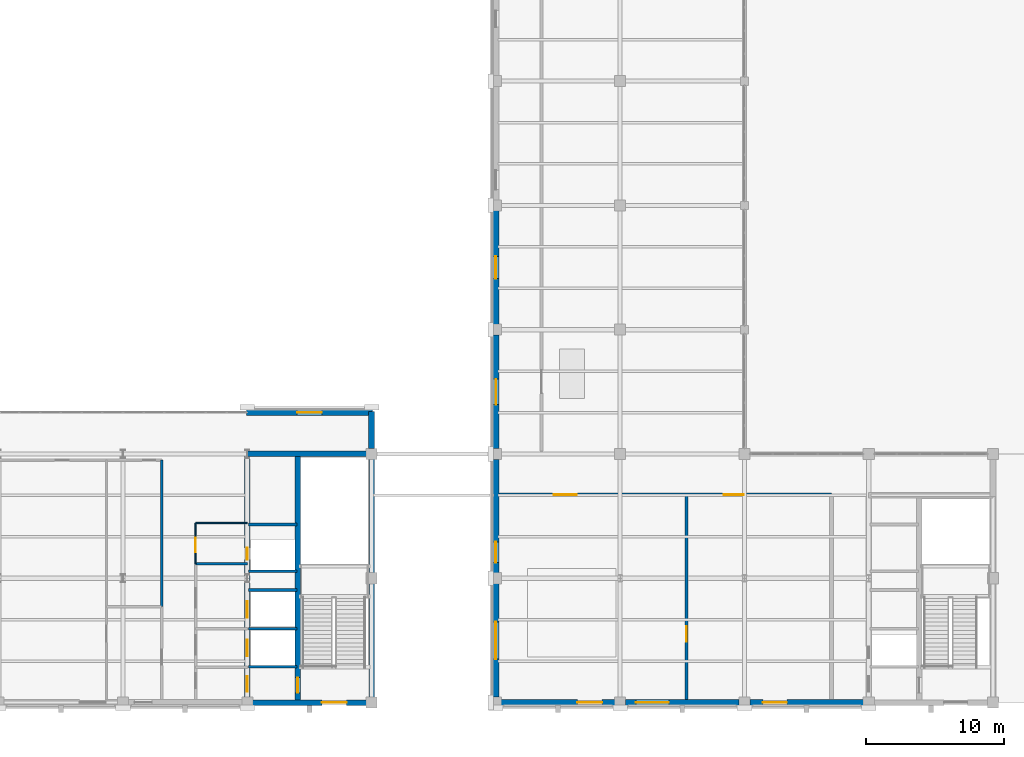
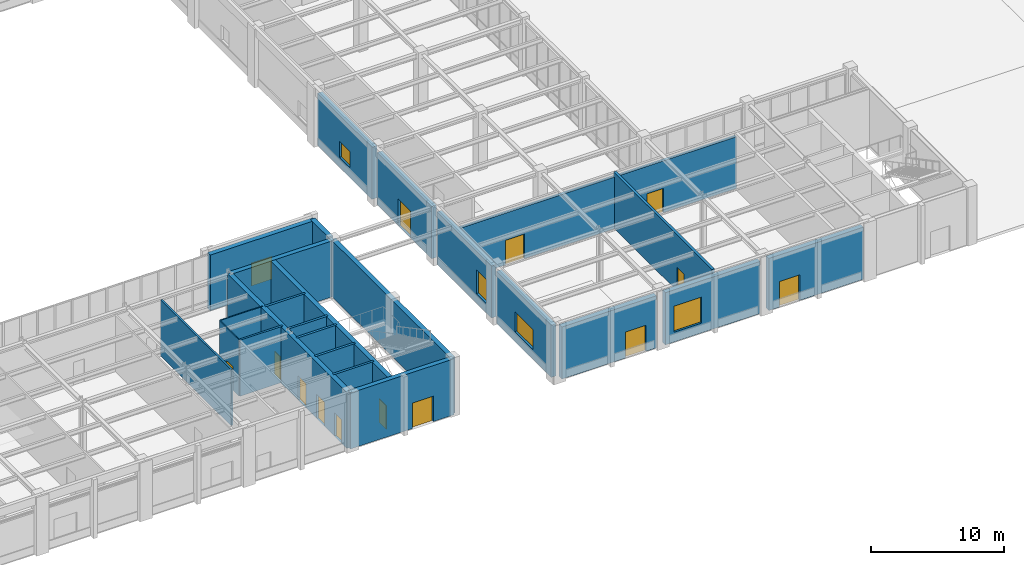
# One storey, part 64 of 77: 25 walls, 13 doors, 5 windows, 18 openings.
"""IFC4 building model written with IfcOpenShell, lengths in metres."""

from ifc_helpers import new_model, si_unit, direction, frame, frame_2d, origin, place, context, subcontext, project, spatial, rectangle, extrude, material, layer, layer_set, type_object, element, fill, save


model = new_model("IFC4")

# Units and contexts
model_context = context("Model", 3, precision=1e-05, world=origin(), true_north=direction((0.0, 1.0)))
body_context = subcontext(model_context, "Body", "Model", "MODEL_VIEW")
ifc_project = project(units=[si_unit("LENGTHUNIT", "METRE"), si_unit("AREAUNIT", "SQUARE_METRE"), si_unit("VOLUMEUNIT", "CUBIC_METRE"), si_unit("PLANEANGLEUNIT", "RADIAN"), si_unit("MASSUNIT", "GRAM", prefix="KILO")], contexts=[model_context])

# Site, building, storey
site_placement = place(None, origin())
site = spatial("IfcSite", under=ifc_project, at=site_placement, CompositionType="ELEMENT")
building_placement = place(site_placement, origin())
building = spatial("IfcBuilding", under=site, at=building_placement, Name="Lykobir Media Centre", CompositionType="ELEMENT")
storey_placement = place(building_placement, origin())
storey = spatial("IfcBuildingStorey", under=building, at=storey_placement, Name="L00", CompositionType="ELEMENT", Elevation=0.0)

# Wall, opening, door
ifc_material_1 = material(Name="Honed Travertine Stone", Category="masonry")
ifc_layer_1 = layer(ifc_material_1, 0.419921875, Name="Honed Travertine Stone")
ifc_layer_set_1 = layer_set([ifc_layer_1], Name="Honed Travertine Stone")
wall_type_1 = type_object("IfcWallType", Name="EW-TRAV-420", PredefinedType="STANDARD", material=ifc_layer_set_1)
wall_1_placement = place(storey_placement, frame((90.0, 26.614990234375, 0.0), z_axis=(0.0, 0.0, 1.0), x_axis=(0.0, -1.0, 0.0)))
wall_1 = element("IfcWall", 1, at=wall_1_placement, inside=storey, type_object=wall_type_1, Name="Exterior wall WALL-L00-0079", PredefinedType="STANDARD", context=body_context, shape_type="SweptSolid", body=[
    extrude(rectangle(XDim=8.22998046875, YDim=0.419921875, at=frame_2d((4.114990234375, 0.0))), origin(), (0.0, 0.0, 1.0), 4.794921875),
])
opening_1_placement = place(wall_1_placement, frame((3.18994140625, 0.0, 0.0)))
opening_1 = element("IfcOpeningElement", 2, at=opening_1_placement, cuts=wall_1, Name="Opening D-L00-E08", PredefinedType="OPENING", context=body_context, shape_type="SweptSolid", body=[
    extrude(rectangle(XDim=1.85009765625, YDim=2.449951171875, at=frame_2d((0.925048828125, 1.22509765625))), frame((0.0, 0.219970703125, 0.0), z_axis=(0.0, -1.0, 0.0), x_axis=(1.0, 0.0, 0.0)), (0.0, 0.0, 1.0), 0.43994140625),
])
ifc_material_2 = material(Name="Anodized Aluminium AW-6060", Category="aluminium")
door_type_1 = type_object("IfcDoorType", Name="ED-1850x2450", OperationType="NOTDEFINED", PredefinedType="DOOR", material=ifc_material_2)
door_1_placement = place(opening_1_placement, frame((1.85009765625, 0.0, 0.0), z_axis=(0.0, 0.0, 1.0), x_axis=(-1.0, 0.0, 0.0)))
door_1 = element("IfcDoor", 3, at=door_1_placement, inside=storey, type_object=door_type_1, Name="Pasaj east broadcast foyer entrance", OperationType="DOUBLE_DOOR_SINGLE_SWING", OverallHeight=2.449951171875, OverallWidth=1.85009765625, PredefinedType="DOOR", context=body_context, shape_type="SweptSolid", body=[
    extrude(rectangle(XDim=1.85009765625, YDim=2.449951171875, at=frame_2d((0.925048828125, 1.22509765625))), frame((0.0, 0.02490234375, 0.0), z_axis=(0.0, -1.0, 0.0), x_axis=(1.0, 0.0, 0.0)), (0.0, 0.0, 1.0), 0.050048828125),
])
fill(opening_1, door_1)

# Wall, opening, window
wall_2_placement = place(storey_placement, frame((90.0, 35.614990234375, 0.0), z_axis=(0.0, 0.0, 1.0), x_axis=(0.0, -1.0, 0.0)))
wall_2 = element("IfcWall", 4, at=wall_2_placement, inside=storey, type_object=wall_type_1, Name="Exterior wall WALL-L00-0080", PredefinedType="STANDARD", context=body_context, shape_type="SweptSolid", body=[
    extrude(rectangle(XDim=8.22998046875, YDim=0.419921875, at=frame_2d((4.114990234375, 0.0))), origin(), (0.0, 0.0, 1.0), 4.794921875),
])
opening_2_placement = place(wall_2_placement, frame((3.31494140625, 0.0, 0.89990234375)))
opening_2 = element("IfcOpeningElement", 5, at=opening_2_placement, cuts=wall_2, Name="Opening WN-1600x1500", PredefinedType="OPENING", context=body_context, shape_type="SweptSolid", body=[
    extrude(rectangle(XDim=1.60009765625, YDim=1.5, at=frame_2d((0.800048828125, 0.75))), frame((0.0, 0.219970703125, 0.0), z_axis=(0.0, -1.0, 0.0), x_axis=(1.0, 0.0, 0.0)), (0.0, 0.0, 1.0), 0.43994140625),
])
ifc_material_3 = material(Name="Low-E Laminated Triple Glazing", Category="glass")
window_type_1 = type_object("IfcWindowType", Name="WN-1600x1500", PartitioningType="SINGLE_PANEL", PredefinedType="WINDOW", material=ifc_material_3)
window_1_placement = place(opening_2_placement, origin())
window_1 = element("IfcWindow", 6, at=window_1_placement, inside=storey, type_object=window_type_1, Name="Window WIN-L00-0008", OverallHeight=1.5, OverallWidth=1.60009765625, PartitioningType="SINGLE_PANEL", PredefinedType="WINDOW", context=body_context, shape_type="SweptSolid", body=[
    extrude(rectangle(XDim=1.60009765625, YDim=1.5, at=frame_2d((0.800048828125, 0.75))), frame((0.0, 0.030029296875, 0.0), z_axis=(0.0, -1.0, 0.0), x_axis=(1.0, 0.0, 0.0)), (0.0, 0.0, 1.0), 0.06005859375),
])
fill(opening_2, window_1)

wall_3_placement = place(storey_placement, frame((90.0, 8.614990234375, 0.0), z_axis=(0.0, 0.0, 1.0), x_axis=(0.0, -1.0, 0.0)))
wall_3 = element("IfcWall", 7, at=wall_3_placement, inside=storey, type_object=wall_type_1, Name="Exterior wall WALL-L00-0085", PredefinedType="STANDARD", context=body_context, shape_type="SweptSolid", body=[
    extrude(rectangle(XDim=8.22998046875, YDim=0.419921875, at=frame_2d((4.114990234375, 0.0))), origin(), (0.0, 0.0, 1.0), 4.794921875),
])
opening_3_placement = place(wall_3_placement, frame((2.764892578125, 0.0, 0.89990234375)))
opening_3 = element("IfcOpeningElement", 8, at=opening_3_placement, cuts=wall_3, Name="Opening WN-2700x1850", PredefinedType="OPENING", context=body_context, shape_type="SweptSolid", body=[
    extrude(rectangle(XDim=2.699951171875, YDim=1.85009765625, at=frame_2d((1.35009765625, 0.925048828125))), frame((0.0, 0.219970703125, 0.0), z_axis=(0.0, -1.0, 0.0), x_axis=(1.0, 0.0, 0.0)), (0.0, 0.0, 1.0), 0.43994140625),
])
window_type_2 = type_object("IfcWindowType", Name="WN-2700x1850", PartitioningType="SINGLE_PANEL", PredefinedType="WINDOW", material=ifc_material_3)
window_2_placement = place(opening_3_placement, origin())
window_2 = element("IfcWindow", 9, at=window_2_placement, inside=storey, type_object=window_type_2, Name="Window WIN-L00-0013", OverallHeight=1.85009765625, OverallWidth=2.699951171875, PartitioningType="SINGLE_PANEL", PredefinedType="WINDOW", context=body_context, shape_type="SweptSolid", body=[
    extrude(rectangle(XDim=2.699951171875, YDim=1.85009765625, at=frame_2d((1.35009765625, 0.925048828125))), frame((0.0, 0.030029296875, 0.0), z_axis=(0.0, -1.0, 0.0), x_axis=(1.0, 0.0, 0.0)), (0.0, 0.0, 1.0), 0.06005859375),
])
fill(opening_3, window_2)

wall_4_placement = place(storey_placement, frame((90.0, 17.614990234375, 0.0), z_axis=(0.0, 0.0, 1.0), x_axis=(0.0, -1.0, 0.0)))
wall_4 = element("IfcWall", 10, at=wall_4_placement, inside=storey, type_object=wall_type_1, Name="Exterior wall WALL-L00-0086", PredefinedType="STANDARD", context=body_context, shape_type="SweptSolid", body=[
    extrude(rectangle(XDim=8.22998046875, YDim=0.419921875, at=frame_2d((4.114990234375, 0.0))), origin(), (0.0, 0.0, 1.0), 4.794921875),
])
opening_4_placement = place(wall_4_placement, frame((5.97998046875, 0.0, 0.89990234375)))
opening_4 = element("IfcOpeningElement", 11, at=opening_4_placement, cuts=wall_4, Name="Opening WN-1500x2200", PredefinedType="OPENING", context=body_context, shape_type="SweptSolid", body=[
    extrude(rectangle(XDim=1.5, YDim=2.199951171875, at=frame_2d((0.75, 1.10009765625))), frame((0.0, 0.219970703125, 0.0), z_axis=(0.0, -1.0, 0.0), x_axis=(1.0, 0.0, 0.0)), (0.0, 0.0, 1.0), 0.43994140625),
])
window_type_3 = type_object("IfcWindowType", Name="WN-1500x2200", PartitioningType="SINGLE_PANEL", PredefinedType="WINDOW", material=ifc_material_3)
window_3_placement = place(opening_4_placement, origin())
window_3 = element("IfcWindow", 12, at=window_3_placement, inside=storey, type_object=window_type_3, Name="Window WIN-L00-0014", OverallHeight=2.199951171875, OverallWidth=1.5, PartitioningType="SINGLE_PANEL", PredefinedType="WINDOW", context=body_context, shape_type="SweptSolid", body=[
    extrude(rectangle(XDim=1.5, YDim=2.199951171875, at=frame_2d((0.75, 1.10009765625))), frame((0.0, 0.030029296875, 0.0), z_axis=(0.0, -1.0, 0.0), x_axis=(1.0, 0.0, 0.0)), (0.0, 0.0, 1.0), 0.06005859375),
])
fill(opening_4, window_3)

# Wall, opening, door
wall_5_placement = place(storey_placement, frame((90.385009765625, 0.0, 0.0), z_axis=(0.0, 0.0, 1.0), x_axis=(1.0, 0.0, 0.0)))
wall_5 = element("IfcWall", 13, at=wall_5_placement, inside=storey, type_object=wall_type_1, Name="Exterior wall WALL-L00-0087", PredefinedType="STANDARD", context=body_context, shape_type="SweptSolid", body=[
    extrude(rectangle(XDim=8.22998046875, YDim=0.419921875, at=frame_2d((4.114990234375, 0.0))), origin(), (0.0, 0.0, 1.0), 4.794921875),
])
opening_5_placement = place(wall_5_placement, frame((5.514892578125, 0.0, 0.0)))
opening_5 = element("IfcOpeningElement", 14, at=opening_5_placement, cuts=wall_5, Name="Opening D-L00-E09", PredefinedType="OPENING", context=body_context, shape_type="SweptSolid", body=[
    extrude(rectangle(XDim=1.800048828125, YDim=2.39990234375, at=frame_2d((0.89990234375, 1.199951171875))), frame((0.0, 0.219970703125, 0.0), z_axis=(0.0, -1.0, 0.0), x_axis=(1.0, 0.0, 0.0)), (0.0, 0.0, 1.0), 0.43994140625),
])
door_type_2 = type_object("IfcDoorType", Name="ED-1800x2400", OperationType="NOTDEFINED", PredefinedType="DOOR", material=ifc_material_2)
door_2_placement = place(opening_5_placement, frame((1.800048828125, 0.0, 0.0), z_axis=(0.0, 0.0, 1.0), x_axis=(-1.0, 0.0, 0.0)))
door_2 = element("IfcDoor", 15, at=door_2_placement, inside=storey, type_object=door_type_2, Name="South-East broadcast entrance", OperationType="DOUBLE_DOOR_SINGLE_SWING", OverallHeight=2.39990234375, OverallWidth=1.800048828125, PredefinedType="DOOR", context=body_context, shape_type="SweptSolid", body=[
    extrude(rectangle(XDim=1.800048828125, YDim=2.39990234375, at=frame_2d((0.89990234375, 1.199951171875))), frame((0.0, 0.02490234375, 0.0), z_axis=(0.0, -1.0, 0.0), x_axis=(1.0, 0.0, 0.0)), (0.0, 0.0, 1.0), 0.050048828125),
])
fill(opening_5, door_2)

# Wall, opening, window
wall_6_placement = place(storey_placement, frame((99.385009765625, 0.0, 0.0), z_axis=(0.0, 0.0, 1.0), x_axis=(1.0, 0.0, 0.0)))
wall_6 = element("IfcWall", 16, at=wall_6_placement, inside=storey, type_object=wall_type_1, Name="Exterior wall WALL-L00-0088", PredefinedType="STANDARD", context=body_context, shape_type="SweptSolid", body=[
    extrude(rectangle(XDim=8.22998046875, YDim=0.419921875, at=frame_2d((4.114990234375, 0.0))), origin(), (0.0, 0.0, 1.0), 4.794921875),
])
opening_6_placement = place(wall_6_placement, frame((0.75, 0.0, 0.89990234375)))
opening_6 = element("IfcOpeningElement", 17, at=opening_6_placement, cuts=wall_6, Name="Opening WN-2400x2400", PredefinedType="OPENING", context=body_context, shape_type="SweptSolid", body=[
    extrude(rectangle(XDim=2.39990234375, YDim=2.39990234375, at=frame_2d((1.199951171875, 1.199951171875))), frame((0.0, 0.219970703125, 0.0), z_axis=(0.0, -1.0, 0.0), x_axis=(1.0, 0.0, 0.0)), (0.0, 0.0, 1.0), 0.43994140625),
])
window_type_4 = type_object("IfcWindowType", Name="WN-2400x2400", PartitioningType="SINGLE_PANEL", PredefinedType="WINDOW", material=ifc_material_3)
window_4_placement = place(opening_6_placement, origin())
window_4 = element("IfcWindow", 18, at=window_4_placement, inside=storey, type_object=window_type_4, Name="Window WIN-L00-0015", OverallHeight=2.39990234375, OverallWidth=2.39990234375, PartitioningType="SINGLE_PANEL", PredefinedType="WINDOW", context=body_context, shape_type="SweptSolid", body=[
    extrude(rectangle(XDim=2.39990234375, YDim=2.39990234375, at=frame_2d((1.199951171875, 1.199951171875))), frame((0.0, 0.030029296875, 0.0), z_axis=(0.0, -1.0, 0.0), x_axis=(1.0, 0.0, 0.0)), (0.0, 0.0, 1.0), 0.06005859375),
])
fill(opening_6, window_4)

# Wall, opening, door
wall_7_placement = place(storey_placement, frame((108.385009765625, 0.0, 0.0), z_axis=(0.0, 0.0, 1.0), x_axis=(1.0, 0.0, 0.0)))
wall_7 = element("IfcWall", 19, at=wall_7_placement, inside=storey, type_object=wall_type_1, Name="Exterior wall WALL-L00-0089", PredefinedType="STANDARD", context=body_context, shape_type="SweptSolid", body=[
    extrude(rectangle(XDim=8.22998046875, YDim=0.419921875, at=frame_2d((4.114990234375, 0.0))), origin(), (0.0, 0.0, 1.0), 4.794921875),
])
opening_7_placement = place(wall_7_placement, frame((0.93994140625, 0.0, 0.0)))
opening_7 = element("IfcOpeningElement", 20, at=opening_7_placement, cuts=wall_7, Name="Opening D-L00-E10", PredefinedType="OPENING", context=body_context, shape_type="SweptSolid", body=[
    extrude(rectangle(XDim=1.75, YDim=2.35009765625, at=frame_2d((0.875, 1.175048828125))), frame((0.0, 0.219970703125, 0.0), z_axis=(0.0, -1.0, 0.0), x_axis=(1.0, 0.0, 0.0)), (0.0, 0.0, 1.0), 0.43994140625),
])
door_type_3 = type_object("IfcDoorType", Name="ED-1750x2350", OperationType="NOTDEFINED", PredefinedType="DOOR", material=ifc_material_2)
door_3_placement = place(opening_7_placement, frame((1.75, 0.0, 0.0), z_axis=(0.0, 0.0, 1.0), x_axis=(-1.0, 0.0, 0.0)))
door_3 = element("IfcDoor", 21, at=door_3_placement, inside=storey, type_object=door_type_3, Name="South-East radio wing entrance", OperationType="DOUBLE_DOOR_SINGLE_SWING", OverallHeight=2.35009765625, OverallWidth=1.75, PredefinedType="DOOR", context=body_context, shape_type="SweptSolid", body=[
    extrude(rectangle(XDim=1.75, YDim=2.35009765625, at=frame_2d((0.875, 1.175048828125))), frame((0.0, 0.02490234375, 0.0), z_axis=(0.0, -1.0, 0.0), x_axis=(1.0, 0.0, 0.0)), (0.0, 0.0, 1.0), 0.050048828125),
])
fill(opening_7, door_3)

# Wall
wall_8_placement = place(storey_placement, frame((81.0, 18.385009765625, 0.0), z_axis=(0.0, 0.0, 1.0), x_axis=(0.0, 1.0, 0.0)))
element("IfcWall", 22, at=wall_8_placement, inside=storey, type_object=wall_type_1, Name="Exterior wall WALL-L00-0093", PredefinedType="STANDARD", context=body_context, shape_type="SweptSolid", body=[
    extrude(rectangle(XDim=2.68994140625, YDim=0.419921875, at=frame_2d((1.344970703125, 0.0))), origin(), (0.0, 0.0, 1.0), 5.139892578125),
])

# Wall, opening, window
wall_9_placement = place(storey_placement, frame((81.074951171875, 21.0, 0.0), z_axis=(0.0, 0.0, 1.0), x_axis=(-1.0, 0.0, 0.0)))
wall_9 = element("IfcWall", 23, at=wall_9_placement, inside=storey, type_object=wall_type_1, Name="Exterior wall WALL-L00-0094", PredefinedType="STANDARD", context=body_context, shape_type="SweptSolid", body=[
    extrude(rectangle(XDim=9.14990234375, YDim=0.419921875, at=frame_2d((4.574951171875, 0.0))), origin(), (0.0, 0.0, 1.0), 5.139892578125),
])
opening_8_placement = place(wall_9_placement, frame((3.675048828125, 0.0, 0.89990234375)))
opening_8 = element("IfcOpeningElement", 24, at=opening_8_placement, cuts=wall_9, Name="Opening WN-1800x2100", PredefinedType="OPENING", context=body_context, shape_type="SweptSolid", body=[
    extrude(rectangle(XDim=1.800048828125, YDim=2.10009765625, at=frame_2d((0.89990234375, 1.050048828125))), frame((0.0, 0.219970703125, 0.0), z_axis=(0.0, -1.0, 0.0), x_axis=(1.0, 0.0, 0.0)), (0.0, 0.0, 1.0), 0.43994140625),
])
window_type_5 = type_object("IfcWindowType", Name="WN-1800x2100", PartitioningType="SINGLE_PANEL", PredefinedType="WINDOW", material=ifc_material_3)
window_5_placement = place(opening_8_placement, origin())
window_5 = element("IfcWindow", 25, at=window_5_placement, inside=storey, type_object=window_type_5, Name="Window WIN-L00-0017", OverallHeight=2.10009765625, OverallWidth=1.800048828125, PartitioningType="SINGLE_PANEL", PredefinedType="WINDOW", context=body_context, shape_type="SweptSolid", body=[
    extrude(rectangle(XDim=1.800048828125, YDim=2.10009765625, at=frame_2d((0.89990234375, 1.050048828125))), frame((0.0, 0.030029296875, 0.0), z_axis=(0.0, -1.0, 0.0), x_axis=(1.0, 0.0, 0.0)), (0.0, 0.0, 1.0), 0.06005859375),
])
fill(opening_8, window_5)

# Walls
ifc_material_4 = material(Name="Acoustic Gypsum Board", Category="gypsum")
ifc_layer_2 = layer(ifc_material_4, 0.159912109375, Name="Acoustic Gypsum Board")
ifc_layer_set_2 = layer_set([ifc_layer_2], Name="Acoustic Gypsum Board")
wall_type_2 = type_object("IfcWallType", Name="IW-COR-160", PredefinedType="PARTITIONING", material=ifc_layer_set_2)
wall_10_placement = place(storey_placement, frame((65.800048828125, 6.949951171875, 0.0), z_axis=(0.0, 0.0, 1.0), x_axis=(0.0, 1.0, 0.0)))
element("IfcWall", 26, at=wall_10_placement, inside=storey, type_object=wall_type_2, Name="Wall IWALL-L00-0655", PredefinedType="PARTITIONING", context=body_context, shape_type="SweptSolid", body=[
    extrude(rectangle(XDim=10.60009765625, YDim=0.159912109375, at=frame_2d((5.300048828125, 0.0))), origin(), (0.0, 0.0, 1.0), 5.159912109375),
])
ifc_layer_3 = layer(ifc_material_4, 0.179931640625, Name="Acoustic Gypsum Board")
ifc_layer_set_3 = layer_set([ifc_layer_3], Name="Acoustic Gypsum Board")
wall_type_3 = type_object("IfcWallType", Name="IW-FFLOB-180", PredefinedType="PARTITIONING", material=ifc_layer_set_3)
wall_11_placement = place(storey_placement, frame((68.25, 10.050048828125, 0.0), z_axis=(0.0, 0.0, 1.0), x_axis=(1.0, 0.0, 0.0)))
element("IfcWall", 27, at=wall_11_placement, inside=storey, type_object=wall_type_3, Name="Wall IWALL-L00-0210", PredefinedType="PARTITIONING", context=body_context, shape_type="SweptSolid", body=[
    extrude(rectangle(XDim=3.75, YDim=0.179931640625, at=frame_2d((1.875, 0.0))), origin(), (0.0, 0.0, 1.0), 5.159912109375),
])
ifc_material_5 = material(Name="Concrete C30/37", Category="concrete")
ifc_layer_4 = layer(ifc_material_5, 0.199951171875, Name="Concrete C30/37")
ifc_layer_set_4 = layer_set([ifc_layer_4], Name="Concrete C30/37")
wall_type_4 = type_object("IfcWallType", Name="IW-SHAFT-200", PredefinedType="PARTITIONING", material=ifc_layer_set_4)
for number, where, z_axis, x_axis, name in (
    (28, (72.10009765625, 2.60009765625, 0.0), (0.0, 0.0, 1.0), (1.0, 0.0, 0.0), "Wall IWALL-L00-0202"),
    (29, (72.10009765625, 5.35009765625, 0.0), (0.0, 0.0, 1.0), (1.0, 0.0, 0.0), "Wall IWALL-L00-0203"),
    (30, (72.10009765625, 8.14990234375, 0.0), (0.0, 0.0, 1.0), (1.0, 0.0, 0.0), "Wall IWALL-L00-0204"),
    (31, (72.10009765625, 9.5, 0.0), (0.0, 0.0, 1.0), (1.0, 0.0, 0.0), "Wall IWALL-L00-0205"),
    (32, (72.10009765625, 12.89990234375, 0.0), (0.0, 0.0, 1.0), (1.0, 0.0, 0.0), "Wall IWALL-L00-0206"),
):
    element("IfcWall", number, at=place(storey_placement, frame(where, z_axis=z_axis, x_axis=x_axis)), inside=storey, type_object=wall_type_4, Name=name, PredefinedType="PARTITIONING", context=body_context, shape_type="SweptSolid", body=[
        extrude(rectangle(XDim=3.5, YDim=0.199951171875, at=frame_2d((1.75, 0.0))), origin(), (0.0, 0.0, 1.0), 5.159912109375),
    ])

# Wall, opening, door
ifc_layer_5 = layer(ifc_material_4, 0.219970703125, Name="Acoustic Gypsum Board")
ifc_layer_set_5 = layer_set([ifc_layer_5], Name="Acoustic Gypsum Board")
wall_type_5 = type_object("IfcWallType", Name="IW-STU-220", PredefinedType="PARTITIONING", material=ifc_layer_set_5)
wall_12_placement = place(storey_placement, frame((103.800048828125, 0.219970703125, 0.0), z_axis=(0.0, 0.0, 1.0), x_axis=(0.0, 1.0, 0.0)))
wall_12 = element("IfcWall", 33, at=wall_12_placement, inside=storey, type_object=wall_type_5, Name="Wall IWALL-L00-0670", PredefinedType="PARTITIONING", context=body_context, shape_type="SweptSolid", body=[
    extrude(rectangle(XDim=14.830078125, YDim=0.219970703125, at=frame_2d((7.4150390625, 0.0))), origin(), (0.0, 0.0, 1.0), 5.159912109375),
])
opening_9_placement = place(wall_12_placement, frame((4.199951171875, 0.0, 0.0)))
opening_9 = element("IfcOpeningElement", 34, at=opening_9_placement, cuts=wall_12, Name="Opening D-L00-RADS", PredefinedType="OPENING", context=body_context, shape_type="SweptSolid", body=[
    extrude(rectangle(XDim=1.10009765625, YDim=2.159912109375, at=frame_2d((0.550048828125, 1.080078125))), frame((0.0, 0.119873046875, 0.0), z_axis=(0.0, -1.0, 0.0), x_axis=(1.0, 0.0, 0.0)), (0.0, 0.0, 1.0), 0.239990234375),
])
ifc_material_6 = material(Name="Acoustic Timber Panelling", Category="wood")
door_type_4 = type_object("IfcDoorType", Name="FD-1100x2160", OperationType="NOTDEFINED", PredefinedType="DOOR", material=ifc_material_6)
door_4_placement = place(opening_9_placement, origin())
door_4 = element("IfcDoor", 35, at=door_4_placement, inside=storey, type_object=door_type_4, Name="Door D-L00-RADS", OperationType="SINGLE_SWING_RIGHT", OverallHeight=2.159912109375, OverallWidth=1.10009765625, PredefinedType="DOOR", context=body_context, shape_type="SweptSolid", body=[
    extrude(rectangle(XDim=1.10009765625, YDim=2.159912109375, at=frame_2d((0.550048828125, 1.080078125))), frame((0.0, 0.02490234375, 0.0), z_axis=(0.0, -1.0, 0.0), x_axis=(1.0, 0.0, 0.0)), (0.0, 0.0, 1.0), 0.050048828125),
])
fill(opening_9, door_4)

# Wall, openings, doors
ifc_layer_6 = layer(ifc_material_4, 0.260009765625, Name="Acoustic Gypsum Board")
ifc_layer_set_6 = layer_set([ifc_layer_6], Name="Acoustic Gypsum Board")
wall_type_6 = type_object("IfcWallType", Name="IW-STU-260", PredefinedType="PARTITIONING", material=ifc_layer_set_6)
wall_13_placement = place(storey_placement, frame((90.0, 15.050048828125, 0.0), z_axis=(0.0, 0.0, 1.0), x_axis=(1.0, 0.0, 0.0)))
wall_13 = element("IfcWall", 36, at=wall_13_placement, inside=storey, type_object=wall_type_6, Name="Wall IWALL-L00-0667", PredefinedType="PARTITIONING", context=body_context, shape_type="SweptSolid", body=[
    extrude(rectangle(XDim=24.300048828125, YDim=0.260009765625, at=frame_2d((12.14990234375, 0.0))), origin(), (0.0, 0.0, 1.0), 4.7451171875),
])
opening_10_placement = place(wall_13_placement, frame((4.199951171875, 0.0, 0.0)))
opening_10 = element("IfcOpeningElement", 37, at=opening_10_placement, cuts=wall_13, Name="Opening D-L00-ES1", PredefinedType="OPENING", context=body_context, shape_type="SweptSolid", body=[
    extrude(rectangle(XDim=1.64990234375, YDim=2.25, at=frame_2d((0.824951171875, 1.125))), frame((0.0, 0.139892578125, 0.0), z_axis=(0.0, -1.0, 0.0), x_axis=(1.0, 0.0, 0.0)), (0.0, 0.0, 1.0), 0.280029296875),
])
opening_11_placement = place(wall_13_placement, frame((16.5, 0.0, 0.0)))
opening_11 = element("IfcOpeningElement", 38, at=opening_11_placement, cuts=wall_13, Name="Opening D-L00-ES2", PredefinedType="OPENING", context=body_context, shape_type="SweptSolid", body=[
    extrude(rectangle(XDim=1.449951171875, YDim=2.219970703125, at=frame_2d((0.72509765625, 1.10986328125))), frame((0.0, 0.139892578125, 0.0), z_axis=(0.0, -1.0, 0.0), x_axis=(1.0, 0.0, 0.0)), (0.0, 0.0, 1.0), 0.280029296875),
])
door_type_5 = type_object("IfcDoorType", Name="FD-1450x2220", OperationType="NOTDEFINED", PredefinedType="DOOR", material=ifc_material_6)
door_5_placement = place(opening_11_placement, origin())
door_5 = element("IfcDoor", 39, at=door_5_placement, inside=storey, type_object=door_type_5, Name="Door D-L00-ES2", OperationType="DOUBLE_DOOR_SINGLE_SWING", OverallHeight=2.219970703125, OverallWidth=1.449951171875, PredefinedType="DOOR", context=body_context, shape_type="SweptSolid", body=[
    extrude(rectangle(XDim=1.449951171875, YDim=2.219970703125, at=frame_2d((0.72509765625, 1.10986328125))), frame((0.0, 0.02490234375, 0.0), z_axis=(0.0, -1.0, 0.0), x_axis=(1.0, 0.0, 0.0)), (0.0, 0.0, 1.0), 0.050048828125),
])
fill(opening_11, door_5)
door_type_6 = type_object("IfcDoorType", Name="FD-1650x2250", OperationType="NOTDEFINED", PredefinedType="DOOR", material=ifc_material_6)
door_6_placement = place(opening_10_placement, origin())
door_6 = element("IfcDoor", 40, at=door_6_placement, inside=storey, type_object=door_type_6, Name="Door D-L00-ES1", OperationType="DOUBLE_DOOR_SINGLE_SWING", OverallHeight=2.25, OverallWidth=1.64990234375, PredefinedType="DOOR", context=body_context, shape_type="SweptSolid", body=[
    extrude(rectangle(XDim=1.64990234375, YDim=2.25, at=frame_2d((0.824951171875, 1.125))), frame((0.0, 0.02490234375, 0.0), z_axis=(0.0, -1.0, 0.0), x_axis=(1.0, 0.0, 0.0)), (0.0, 0.0, 1.0), 0.050048828125),
])
fill(opening_10, door_6)

# Wall, opening, door
ifc_layer_7 = layer(ifc_material_4, 0.094970703125, Name="Acoustic Gypsum Board")
ifc_layer_set_7 = layer_set([ifc_layer_7], Name="Acoustic Gypsum Board")
wall_type_7 = type_object("IfcWallType", Name="IW-WC-095", PredefinedType="PARTITIONING", material=ifc_layer_set_7)
wall_14_placement = place(storey_placement, frame((68.25, 10.050048828125, 0.0), z_axis=(0.0, 0.0, 1.0), x_axis=(0.0, 1.0, 0.0)))
wall_14 = element("IfcWall", 41, at=wall_14_placement, inside=storey, type_object=wall_type_7, Name="Wall IWALL-L00-0211", PredefinedType="PARTITIONING", context=body_context, shape_type="SweptSolid", body=[
    extrude(rectangle(XDim=2.949951171875, YDim=0.094970703125, at=frame_2d((1.47509765625, 0.0))), origin(), (0.0, 0.0, 1.0), 5.159912109375),
])
opening_12_placement = place(wall_14_placement, frame((0.85009765625, 0.0, 0.0)))
opening_12 = element("IfcOpeningElement", 42, at=opening_12_placement, cuts=wall_14, Name="Opening D-L00-WCA2", PredefinedType="OPENING", context=body_context, shape_type="SweptSolid", body=[
    extrude(rectangle(XDim=1.050048828125, YDim=2.1298828125, at=frame_2d((0.52490234375, 1.06494140625))), frame((0.0, 0.057373046875, 0.0), z_axis=(0.0, -1.0, 0.0), x_axis=(1.0, 0.0, 0.0)), (0.0, 0.0, 1.0), 0.114990234375),
])
door_type_7 = type_object("IfcDoorType", Name="ID-1050x2130", OperationType="NOTDEFINED", PredefinedType="DOOR", material=ifc_material_6)
door_7_placement = place(opening_12_placement, origin())
door_7 = element("IfcDoor", 43, at=door_7_placement, inside=storey, type_object=door_type_7, Name="Door D-L00-WCA2", OperationType="SINGLE_SWING_RIGHT", OverallHeight=2.1298828125, OverallWidth=1.050048828125, PredefinedType="DOOR", context=body_context, shape_type="SweptSolid", body=[
    extrude(rectangle(XDim=1.050048828125, YDim=2.1298828125, at=frame_2d((0.52490234375, 1.06494140625))), frame((0.0, 0.02490234375, 0.0), z_axis=(0.0, -1.0, 0.0), x_axis=(1.0, 0.0, 0.0)), (0.0, 0.0, 1.0), 0.050048828125),
])
fill(opening_12, door_7)

# Wall
wall_15_placement = place(storey_placement, frame((68.25, 13.0, 0.0), z_axis=(0.0, 0.0, 1.0), x_axis=(1.0, 0.0, 0.0)))
element("IfcWall", 44, at=wall_15_placement, inside=storey, type_object=wall_type_7, Name="Wall IWALL-L00-0212", PredefinedType="PARTITIONING", context=body_context, shape_type="SweptSolid", body=[
    extrude(rectangle(XDim=3.75, YDim=0.094970703125, at=frame_2d((1.875, 0.0))), origin(), (0.0, 0.0, 1.0), 5.159912109375),
])

# Wall, openings, doors
ifc_material_7 = material(Name="Concrete C40/50", Category="concrete")
ifc_layer_8 = layer(ifc_material_7, 0.39990234375, Name="Concrete C40/50")
ifc_layer_set_8 = layer_set([ifc_layer_8], Name="Concrete C40/50")
wall_type_8 = type_object("IfcWallType", Name="SW-CORE-400", PredefinedType="SHEAR", material=ifc_layer_set_8)
wall_16_placement = place(storey_placement, frame((72.0, 18.0, 0.0), z_axis=(0.0, 0.0, 1.0), x_axis=(0.0, -1.0, 0.0)))
wall_16 = element("IfcWall", 45, at=wall_16_placement, inside=storey, type_object=wall_type_8, Name="Wall IWALL-L00-0200", PredefinedType="SHEAR", context=body_context, shape_type="SweptSolid", body=[
    extrude(rectangle(XDim=18.0, YDim=0.39990234375, at=frame_2d((9.0, 0.0))), origin(), (0.0, 0.0, 1.0), 5.159912109375),
])
opening_13_placement = place(wall_16_placement, frame((16.10009765625, 0.0, 0.0)))
opening_13 = element("IfcOpeningElement", 46, at=opening_13_placement, cuts=wall_16, Name="Opening D-L00-C2VB", PredefinedType="OPENING", context=body_context, shape_type="SweptSolid", body=[
    extrude(rectangle(XDim=1.10009765625, YDim=2.159912109375, at=frame_2d((0.550048828125, 1.080078125))), frame((0.0, 0.2099609375, 0.0), z_axis=(0.0, -1.0, 0.0), x_axis=(1.0, 0.0, 0.0)), (0.0, 0.0, 1.0), 0.419921875),
])
opening_14_placement = place(wall_16_placement, frame((13.449951171875, 0.0, 0.0)))
opening_14 = element("IfcOpeningElement", 47, at=opening_14_placement, cuts=wall_16, Name="Opening LD-L00-PL-2", PredefinedType="OPENING", context=body_context, shape_type="SweptSolid", body=[
    extrude(rectangle(XDim=1.199951171875, YDim=2.199951171875, at=frame_2d((0.60009765625, 1.10009765625))), frame((0.0, 0.2099609375, 0.0), z_axis=(0.0, -1.0, 0.0), x_axis=(1.0, 0.0, 0.0)), (0.0, 0.0, 1.0), 0.419921875),
])
opening_15_placement = place(wall_16_placement, frame((10.64990234375, 0.0, 0.0)))
opening_15 = element("IfcOpeningElement", 48, at=opening_15_placement, cuts=wall_16, Name="Opening LD-L00-FL-2", PredefinedType="OPENING", context=body_context, shape_type="SweptSolid", body=[
    extrude(rectangle(XDim=1.199951171875, YDim=2.199951171875, at=frame_2d((0.60009765625, 1.10009765625))), frame((0.0, 0.2099609375, 0.0), z_axis=(0.0, -1.0, 0.0), x_axis=(1.0, 0.0, 0.0)), (0.0, 0.0, 1.0), 0.419921875),
])
opening_16_placement = place(wall_16_placement, frame((6.800048828125, 0.0, 0.0)))
opening_16 = element("IfcOpeningElement", 49, at=opening_16_placement, cuts=wall_16, Name="Opening D-L00-C2RS", PredefinedType="OPENING", context=body_context, shape_type="SweptSolid", body=[
    extrude(rectangle(XDim=0.85009765625, YDim=2.10009765625, at=frame_2d((0.425048828125, 1.050048828125))), frame((0.0, 0.2099609375, 0.0), z_axis=(0.0, -1.0, 0.0), x_axis=(1.0, 0.0, 0.0)), (0.0, 0.0, 1.0), 0.419921875),
])
door_type_8 = type_object("IfcDoorType", Name="FD-0850x2100", OperationType="NOTDEFINED", PredefinedType="DOOR", material=ifc_material_2)
door_8_placement = place(opening_16_placement, origin())
door_8 = element("IfcDoor", 50, at=door_8_placement, inside=storey, type_object=door_type_8, Name="Riser access door C2 L00", OperationType="SINGLE_SWING_RIGHT", OverallHeight=2.10009765625, OverallWidth=0.85009765625, PredefinedType="DOOR", context=body_context, shape_type="SweptSolid", body=[
    extrude(rectangle(XDim=0.85009765625, YDim=2.10009765625, at=frame_2d((0.425048828125, 1.050048828125))), frame((0.0, 0.02490234375, 0.0), z_axis=(0.0, -1.0, 0.0), x_axis=(1.0, 0.0, 0.0)), (0.0, 0.0, 1.0), 0.050048828125),
])
fill(opening_16, door_8)
door_9_placement = place(opening_13_placement, origin())
door_9 = element("IfcDoor", 51, at=door_9_placement, inside=storey, type_object=door_type_4, Name="Door D-L00-C2VB", OperationType="SINGLE_SWING_LEFT", OverallHeight=2.159912109375, OverallWidth=1.10009765625, PredefinedType="DOOR", context=body_context, shape_type="SweptSolid", body=[
    extrude(rectangle(XDim=1.10009765625, YDim=2.159912109375, at=frame_2d((0.550048828125, 1.080078125))), frame((0.0, 0.02490234375, 0.0), z_axis=(0.0, -1.0, 0.0), x_axis=(1.0, 0.0, 0.0)), (0.0, 0.0, 1.0), 0.050048828125),
])
fill(opening_13, door_9)
door_type_9 = type_object("IfcDoorType", Name="LD-1200x2200", OperationType="NOTDEFINED", PredefinedType="DOOR", material=ifc_material_2)
door_10_placement = place(opening_14_placement, origin())
door_10 = element("IfcDoor", 52, at=door_10_placement, inside=storey, type_object=door_type_9, Name="Lift landing door PL-2 L00", OperationType="SLIDING_TO_LEFT", OverallHeight=2.199951171875, OverallWidth=1.199951171875, PredefinedType="DOOR", context=body_context, shape_type="SweptSolid", body=[
    extrude(rectangle(XDim=1.199951171875, YDim=2.199951171875, at=frame_2d((0.60009765625, 1.10009765625))), frame((0.0, 0.02490234375, 0.0), z_axis=(0.0, -1.0, 0.0), x_axis=(1.0, 0.0, 0.0)), (0.0, 0.0, 1.0), 0.050048828125),
])
fill(opening_14, door_10)
door_11_placement = place(opening_15_placement, origin())
door_11 = element("IfcDoor", 53, at=door_11_placement, inside=storey, type_object=door_type_9, Name="Firefighting lift landing door FL-2 L00", OperationType="SLIDING_TO_LEFT", OverallHeight=2.199951171875, OverallWidth=1.199951171875, PredefinedType="DOOR", context=body_context, shape_type="SweptSolid", body=[
    extrude(rectangle(XDim=1.199951171875, YDim=2.199951171875, at=frame_2d((0.60009765625, 1.10009765625))), frame((0.0, 0.02490234375, 0.0), z_axis=(0.0, -1.0, 0.0), x_axis=(1.0, 0.0, 0.0)), (0.0, 0.0, 1.0), 0.050048828125),
])
fill(opening_15, door_11)

# Wall, opening, door
wall_17_placement = place(storey_placement, frame((75.64990234375, 0.0, 0.0), z_axis=(0.0, 0.0, 1.0), x_axis=(0.0, 1.0, 0.0)))
wall_17 = element("IfcWall", 54, at=wall_17_placement, inside=storey, type_object=wall_type_8, Name="Wall IWALL-L00-0201", PredefinedType="SHEAR", context=body_context, shape_type="SweptSolid", body=[
    extrude(rectangle(XDim=18.0, YDim=0.39990234375, at=frame_2d((9.0, 0.0))), origin(), (0.0, 0.0, 1.0), 5.159912109375),
])
opening_17_placement = place(wall_17_placement, frame((0.699951171875, 0.0, 0.0)))
opening_17 = element("IfcOpeningElement", 55, at=opening_17_placement, cuts=wall_17, Name="Opening D-L00-C2ST", PredefinedType="OPENING", context=body_context, shape_type="SweptSolid", body=[
    extrude(rectangle(XDim=1.10009765625, YDim=2.159912109375, at=frame_2d((0.550048828125, 1.080078125))), frame((0.0, 0.2099609375, 0.0), z_axis=(0.0, -1.0, 0.0), x_axis=(1.0, 0.0, 0.0)), (0.0, 0.0, 1.0), 0.419921875),
])
door_12_placement = place(opening_17_placement, origin())
door_12 = element("IfcDoor", 56, at=door_12_placement, inside=storey, type_object=door_type_4, Name="L00 ST-2 stairwell fire door", OperationType="SINGLE_SWING_RIGHT", OverallHeight=2.159912109375, OverallWidth=1.10009765625, PredefinedType="DOOR", context=body_context, shape_type="SweptSolid", body=[
    extrude(rectangle(XDim=1.10009765625, YDim=2.159912109375, at=frame_2d((0.550048828125, 1.080078125))), frame((0.0, 0.02490234375, 0.0), z_axis=(0.0, -1.0, 0.0), x_axis=(1.0, 0.0, 0.0)), (0.0, 0.0, 1.0), 0.050048828125),
])
fill(opening_17, door_12)

ifc_layer_9 = layer(ifc_material_7, 0.39990234375, Name="Concrete C40/50")
ifc_layer_set_9 = layer_set([ifc_layer_9], Name="Concrete C40/50")
wall_type_9 = type_object("IfcWallType", Name="SW-CORE-400-E", PredefinedType="SHEAR", material=ifc_layer_set_9)
wall_18_placement = place(storey_placement, frame((72.0, 0.0, 0.0), z_axis=(0.0, 0.0, 1.0), x_axis=(1.0, 0.0, 0.0)))
wall_18 = element("IfcWall", 57, at=wall_18_placement, inside=storey, type_object=wall_type_9, Name="Wall IWALL-L00-0197", PredefinedType="SHEAR", context=body_context, shape_type="SweptSolid", body=[
    extrude(rectangle(XDim=9.0, YDim=0.39990234375, at=frame_2d((4.5, 0.0))), origin(), (0.0, 0.0, 1.0), 5.159912109375),
])
opening_18_placement = place(wall_18_placement, frame((5.39990234375, 0.0, 0.0)))
opening_18 = element("IfcOpeningElement", 58, at=opening_18_placement, cuts=wall_18, Name="Opening D-L00-SD2", PredefinedType="OPENING", context=body_context, shape_type="SweptSolid", body=[
    extrude(rectangle(XDim=1.800048828125, YDim=2.35009765625, at=frame_2d((0.89990234375, 1.175048828125))), frame((0.0, 0.2099609375, 0.0), z_axis=(0.0, -1.0, 0.0), x_axis=(1.0, 0.0, 0.0)), (0.0, 0.0, 1.0), 0.419921875),
])
door_type_10 = type_object("IfcDoorType", Name="SD-1800x2350", OperationType="NOTDEFINED", PredefinedType="DOOR", material=ifc_material_2)
door_13_placement = place(opening_18_placement, frame((1.800048828125, 0.0, 0.0), z_axis=(0.0, 0.0, 1.0), x_axis=(-1.0, 0.0, 0.0)))
door_13 = element("IfcDoor", 59, at=door_13_placement, inside=storey, type_object=door_type_10, Name="Stair ST-2 exterior exit discharge door", OperationType="DOUBLE_DOOR_SINGLE_SWING", OverallHeight=2.35009765625, OverallWidth=1.800048828125, PredefinedType="DOOR", context=body_context, shape_type="SweptSolid", body=[
    extrude(rectangle(XDim=1.800048828125, YDim=2.35009765625, at=frame_2d((0.89990234375, 1.175048828125))), frame((0.0, 0.02490234375, 0.0), z_axis=(0.0, -1.0, 0.0), x_axis=(1.0, 0.0, 0.0)), (0.0, 0.0, 1.0), 0.050048828125),
])
fill(opening_18, door_13)

# Walls
wall_19_placement = place(storey_placement, frame((81.0, 0.0, 0.0), z_axis=(0.0, 0.0, 1.0), x_axis=(0.0, 1.0, 0.0)))
element("IfcWall", 60, at=wall_19_placement, inside=storey, type_object=wall_type_9, Name="Wall IWALL-L00-0198", PredefinedType="SHEAR", context=body_context, shape_type="SweptSolid", body=[
    extrude(rectangle(XDim=18.0, YDim=0.39990234375, at=frame_2d((9.0, 0.0))), origin(), (0.0, 0.0, 1.0), 5.159912109375),
])
wall_20_placement = place(storey_placement, frame((81.0, 18.0, 0.0), z_axis=(0.0, 0.0, 1.0), x_axis=(-1.0, 0.0, 0.0)))
element("IfcWall", 61, at=wall_20_placement, inside=storey, type_object=wall_type_9, Name="Wall IWALL-L00-0199", PredefinedType="SHEAR", context=body_context, shape_type="SweptSolid", body=[
    extrude(rectangle(XDim=9.0, YDim=0.39990234375, at=frame_2d((4.5, 0.0))), origin(), (0.0, 0.0, 1.0), 5.159912109375),
])

save(model, "model.ifc")
